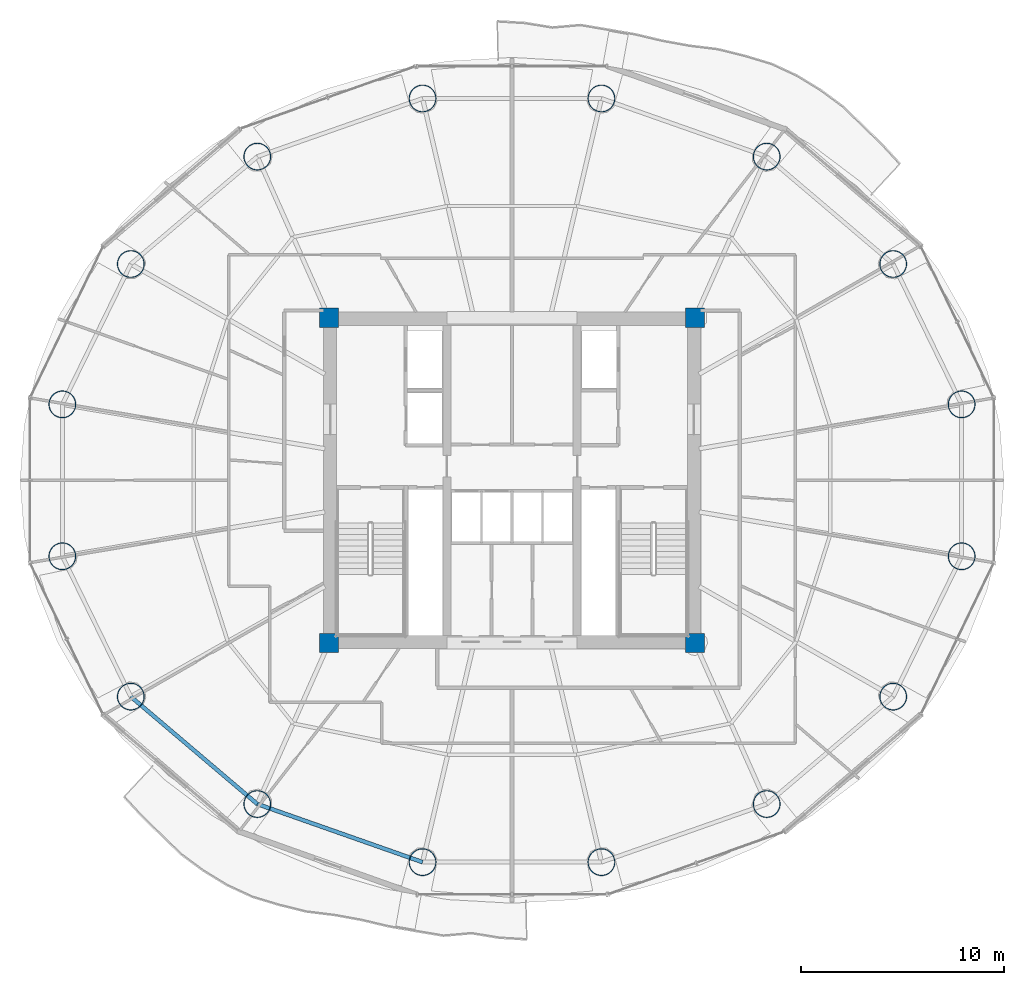
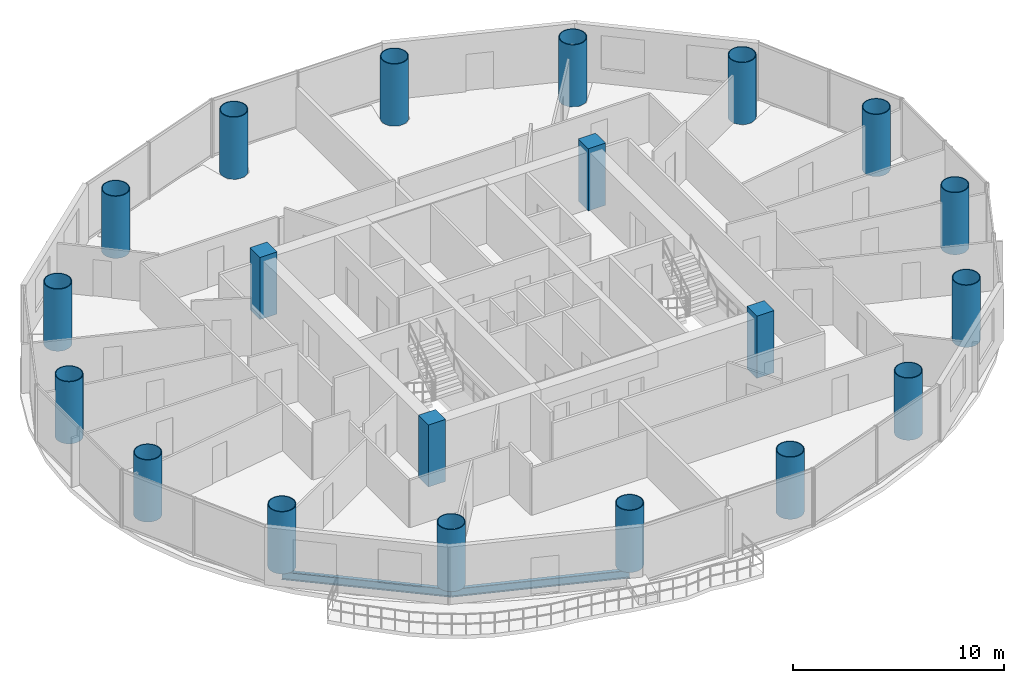
# One storey, part 1 of 26: 20 columns, 2 beams.
"""IFC4 building model written with IfcOpenShell, lengths in metres."""

from ifc_helpers import new_model, si_unit, direction, frame, origin, origin_2d, place, context, subcontext, project, spatial, rectangle, hollow_circle, i_section, extrude, material, material_profile, profile_set, type_object, element, save


model = new_model("IFC4")

# Units and contexts
model_context = context("Model", 3, precision=1e-05, world=origin(), true_north=direction((-0.2419218956, 0.970295726276)))
body_context = subcontext(model_context, "Body", "Model", "MODEL_VIEW")
ifc_project = project(units=[si_unit("LENGTHUNIT", "METRE"), si_unit("AREAUNIT", "SQUARE_METRE"), si_unit("VOLUMEUNIT", "CUBIC_METRE"), si_unit("PLANEANGLEUNIT", "RADIAN"), si_unit("MASSUNIT", "GRAM", prefix="KILO")], contexts=[model_context])

# Site, building, storey
site_placement = place(None, origin())
site = spatial("IfcSite", under=ifc_project, at=site_placement, CompositionType="ELEMENT")
building_placement = place(site_placement, origin())
building = spatial("IfcBuilding", under=site, at=building_placement, Name="Cobrevalo Terracotta Tower", CompositionType="ELEMENT")
storey_placement = place(building_placement, frame((0.0, 0.0, 171.39990234375)))
storey = spatial("IfcBuildingStorey", under=building, at=storey_placement, Name="L45", CompositionType="ELEMENT", Elevation=171.39990234375)

# Columns
ifc_material_1 = material(Name="Steel S355", Category="steel")
ifc_material_profile_1 = material_profile(ifc_material_1, hollow_circle(Radius=0.675048828125, WallThickness=0.0419921875, at=origin_2d()), Name="CHS 1350x42")
ifc_profile_set_1 = profile_set([ifc_material_profile_1], Name="Steel S355")
column_type_1 = type_object("IfcColumnType", Name="Structural Column CHS 1350x42 (Steel S355)", PredefinedType="COLUMN", material=ifc_profile_set_1)
for number, where, z_axis, x_axis, name in (
    (1, (60.11669921875, 30.535888671875, 0.0), (0.0, 0.0, 1.0), (1.0, 0.0, 0.0), "L45 composite megacolumn MC01"),
    (2, (56.749755859375, 37.439208984375, 0.0), (0.0, 0.0, 1.0), (1.0, 0.0, 0.0), "L45 composite megacolumn MC02"),
    (3, (50.528076171875, 42.72265625, 0.0), (0.0, 0.0, 1.0), (1.0, 0.0, 0.0), "L45 composite megacolumn MC03"),
    (4, (42.399169921875, 45.58203125, 0.0), (0.0, 0.0, 1.0), (1.0, 0.0, 0.0), "L45 composite megacolumn MC04"),
    (5, (33.600830078125, 45.58203125, 0.0), (0.0, 0.0, 1.0), (1.0, 0.0, 0.0), "L45 composite megacolumn MC05"),
    (6, (25.471923828125, 42.72265625, 0.0), (0.0, 0.0, 1.0), (1.0, 0.0, 0.0), "L45 composite megacolumn MC06"),
    (7, (19.250244140625, 37.439208984375, 0.0), (0.0, 0.0, 1.0), (1.0, 0.0, 0.0), "L45 composite megacolumn MC07"),
    (8, (15.88330078125, 30.535888671875, 0.0), (0.0, 0.0, 1.0), (1.0, 0.0, 0.0), "L45 composite megacolumn MC08"),
    (9, (15.88330078125, 23.06396484375, 0.0), (0.0, 0.0, 1.0), (1.0, 0.0, 0.0), "L45 composite megacolumn MC09"),
    (10, (19.250244140625, 16.160888671875, 0.0), (0.0, 0.0, 1.0), (1.0, 0.0, 0.0), "L45 composite megacolumn MC10"),
    (11, (25.471923828125, 10.87744140625, 0.0), (0.0, 0.0, 1.0), (1.0, 0.0, 0.0), "L45 composite megacolumn MC11"),
    (12, (33.600830078125, 8.01806640625, 0.0), (0.0, 0.0, 1.0), (1.0, 0.0, 0.0), "L45 composite megacolumn MC12"),
    (13, (42.399169921875, 8.01806640625, 0.0), (0.0, 0.0, 1.0), (1.0, 0.0, 0.0), "L45 composite megacolumn MC13"),
    (14, (50.528076171875, 10.87744140625, 0.0), (0.0, 0.0, 1.0), (1.0, 0.0, 0.0), "L45 composite megacolumn MC14"),
    (15, (56.749755859375, 16.160888671875, 0.0), (0.0, 0.0, 1.0), (1.0, 0.0, 0.0), "L45 composite megacolumn MC15"),
    (16, (60.11669921875, 23.06396484375, 0.0), (0.0, 0.0, 1.0), (1.0, 0.0, 0.0), "L45 composite megacolumn MC16"),
):
    element("IfcColumn", number, at=place(storey_placement, frame(where, z_axis=z_axis, x_axis=x_axis)), inside=storey, type_object=column_type_1, Name=name, PredefinedType="COLUMN", context=body_context, shape_type="SweptSolid", body=[
        extrude(hollow_circle(Radius=0.675048828125, WallThickness=0.0419921875, at=origin_2d()), origin(), (0.0, 0.0, 1.0), 3.60009765625),
    ])
ifc_material_2 = material(Name="Concrete C55", Category="concrete")
ifc_material_profile_2 = material_profile(ifc_material_2, rectangle(XDim=0.949951171875, YDim=0.949951171875, at=origin_2d()), Name="RC COL 950x950")
ifc_profile_set_2 = profile_set([ifc_material_profile_2], Name="Concrete C55")
column_type_2 = type_object("IfcColumnType", Name="Structural Column RC COL 950x950 (Concrete C55)", PredefinedType="COLUMN", material=ifc_profile_set_2)
for number, where, z_axis, x_axis, name in (
    (17, (29.0, 18.800048828125, 0.0), (0.0, 0.0, 1.0), (1.0, 0.0, 0.0), "L45 core corner column CC1"),
    (18, (47.0, 18.800048828125, 0.0), (0.0, 0.0, 1.0), (1.0, 0.0, 0.0), "L45 core corner column CC2"),
    (19, (47.0, 34.800048828125, 0.0), (0.0, 0.0, 1.0), (1.0, 0.0, 0.0), "L45 core corner column CC3"),
    (20, (29.0, 34.800048828125, 0.0), (0.0, 0.0, 1.0), (1.0, 0.0, 0.0), "L45 core corner column CC4"),
):
    element("IfcColumn", number, at=place(storey_placement, frame(where, z_axis=z_axis, x_axis=x_axis)), inside=storey, type_object=column_type_2, Name=name, PredefinedType="COLUMN", context=body_context, shape_type="SweptSolid", body=[
        extrude(rectangle(XDim=0.949951171875, YDim=0.949951171875, at=origin_2d()), origin(), (0.0, 0.0, 1.0), 3.60009765625),
    ])

# Beams
ifc_material_profile_3 = material_profile(ifc_material_1, i_section(OverallWidth=0.194091796875, OverallDepth=0.468994140625, WebThickness=0.011474609375, FlangeThickness=0.0205078125, at=origin_2d()), Name="W 460x106")
ifc_profile_set_3 = profile_set([ifc_material_profile_3], Name="Steel S355")
beam_type = type_object("IfcBeamType", Name="Structural Spandrel W 460x106 (Steel S355)", PredefinedType="SPANDREL", material=ifc_profile_set_3)
beam_1_placement = place(storey_placement, frame((19.250244140625, 16.160888671875, -0.50439453125), z_axis=(0.762240337798, -0.647294112003, 0.0), x_axis=(0.647294112003, 0.762240337798, 0.0)))
element("IfcBeam", 21, at=beam_1_placement, inside=storey, type_object=beam_type, Name="L45 perimeter ring spandrel 10", PredefinedType="SPANDREL", context=body_context, shape_type="SweptSolid", body=[
    extrude(i_section(OverallWidth=0.194091796875, OverallDepth=0.468994140625, WebThickness=0.011474609375, FlangeThickness=0.0205078125, at=origin_2d()), origin(), (0.0, 0.0, 1.0), 8.162353515625),
])
beam_2_placement = place(storey_placement, frame((25.471923828125, 10.87744140625, -0.50439453125), z_axis=(0.943341298492, -0.331824041565, 0.0), x_axis=(0.331824041565, 0.943341298492, 0.0)))
element("IfcBeam", 22, at=beam_2_placement, inside=storey, type_object=beam_type, Name="L45 perimeter ring spandrel 11", PredefinedType="SPANDREL", context=body_context, shape_type="SweptSolid", body=[
    extrude(i_section(OverallWidth=0.194091796875, OverallDepth=0.468994140625, WebThickness=0.011474609375, FlangeThickness=0.0205078125, at=origin_2d()), origin(), (0.0, 0.0, 1.0), 8.6171875),
])

save(model, "model.ifc")
